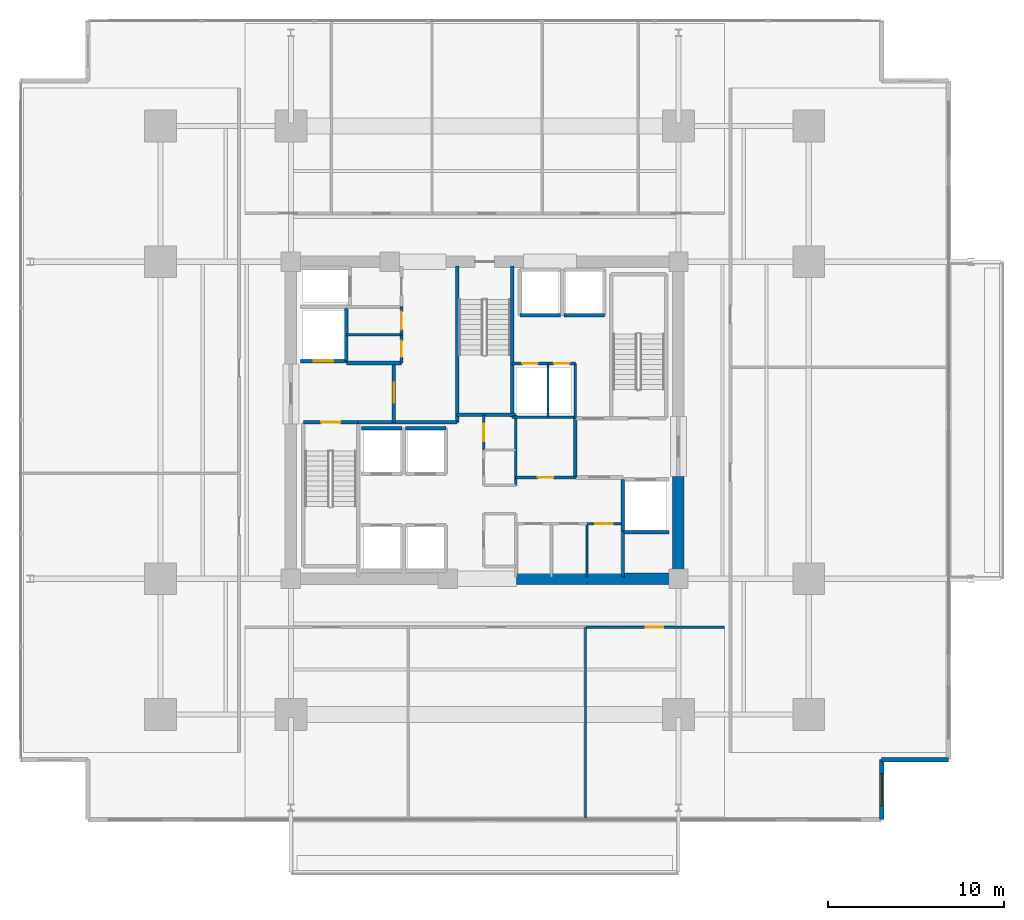
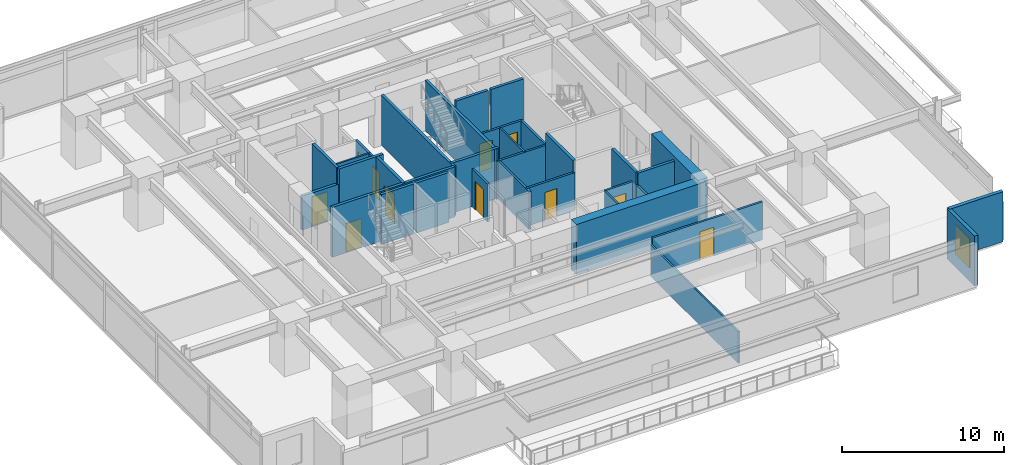
# One storey, part 14 of 21: 36 walls, 11 doors, 1 window, 12 openings.
"""IFC4 building model written with IfcOpenShell, lengths in metres."""

from ifc_helpers import new_model, si_unit, direction, frame, frame_2d, origin, place, context, subcontext, project, spatial, rectangle, extrude, material, layer, layer_set, type_object, element, fill, save


model = new_model("IFC4")

# Units and contexts
model_context = context("Model", 3, precision=1e-05, world=origin(), true_north=direction((0.0, 1.0)))
body_context = subcontext(model_context, "Body", "Model", "MODEL_VIEW")
ifc_project = project(units=[si_unit("LENGTHUNIT", "METRE"), si_unit("AREAUNIT", "SQUARE_METRE"), si_unit("VOLUMEUNIT", "CUBIC_METRE"), si_unit("PLANEANGLEUNIT", "RADIAN"), si_unit("MASSUNIT", "GRAM", prefix="KILO")], contexts=[model_context])

# Site, building, storey
site_placement = place(None, origin())
site = spatial("IfcSite", under=ifc_project, at=site_placement, CompositionType="ELEMENT")
building_placement = place(site_placement, origin())
building = spatial("IfcBuilding", under=site, at=building_placement, Name="Kovane Verandah Tower", CompositionType="ELEMENT")
storey_placement = place(building_placement, frame((0.0, 0.0, 87.60009765625)))
storey = spatial("IfcBuildingStorey", under=building, at=storey_placement, Name="L20", CompositionType="ELEMENT", Elevation=87.60009765625)

# Wall
ifc_material_1 = material(Name="Fire-Rated Gypsum Stud Partition", Category="gypsum")
ifc_layer_1 = layer(ifc_material_1, 0.14990234375)
ifc_layer_set_1 = layer_set([ifc_layer_1], Name="Fire-Rated Gypsum Stud Partition")
wall_type_1 = type_object("IfcWallType", Name="WL-COR-150", PredefinedType="PARTITIONING", material=ifc_layer_set_1)
wall_1_placement = place(storey_placement, frame((41.760009765625, 23.800048828125, 0.0), z_axis=(0.0, 0.0, 1.0), x_axis=(0.0, 1.0, 0.0)))
element("IfcWall", 1, at=wall_1_placement, inside=storey, type_object=wall_type_1, Name="L20 Central Core Strip Upper East Wall", PredefinedType="PARTITIONING", context=body_context, shape_type="SweptSolid", body=[
    extrude(rectangle(XDim=4.0, YDim=0.14990234375, at=frame_2d((2.0, 0.0))), origin(), (0.0, 0.0, 1.0), 2.849853515625),
])

# Wall, opening, door
wall_2_placement = place(storey_placement, frame((39.949951171875, 25.800048828125, 0.0), z_axis=(0.0, 0.0, 1.0), x_axis=(0.0, 1.0, 0.0)))
wall_2 = element("IfcWall", 2, at=wall_2_placement, inside=storey, type_object=wall_type_1, Name="L20 Central First Aid and Wellness Room Partition", PredefinedType="PARTITIONING", context=body_context, shape_type="SweptSolid", body=[
    extrude(rectangle(XDim=2.0, YDim=0.14990234375, at=frame_2d((1.0, 0.0))), origin(), (0.0, 0.0, 1.0), 2.849853515625),
])
opening_1_placement = place(wall_2_placement, frame((0.5, 0.0, 0.0)))
opening_1 = element("IfcOpeningElement", 3, at=opening_1_placement, cuts=wall_2, Name="Opening DR-L20-029", PredefinedType="OPENING", context=body_context, shape_type="SweptSolid", body=[
    extrude(rectangle(XDim=1.0, YDim=2.14990234375, at=frame_2d((0.5, 1.074951171875))), frame((0.0, 0.074951171875, 0.0), z_axis=(0.0, -1.0, 0.0), x_axis=(1.0, 0.0, 0.0)), (0.0, 0.0, 1.0), 0.14990234375),
])
ifc_material_2 = material(Name="FSC Spotted-Gum Timber Fire-Rated Office Door", Category="wood")
door_type_1 = type_object("IfcDoorType", Name="DR-OFF-1000", OperationType="SINGLE_SWING_LEFT", PredefinedType="DOOR", material=ifc_material_2)
door_1_placement = place(opening_1_placement, origin())
door_1 = element("IfcDoor", 4, at=door_1_placement, inside=storey, type_object=door_type_1, Name="L20 Central First Aid and Wellness Room Door", OperationType="SINGLE_SWING_RIGHT", OverallHeight=2.14990234375, OverallWidth=1.0, PredefinedType="DOOR", context=body_context, shape_type="SweptSolid", body=[
    extrude(rectangle(XDim=1.0, YDim=2.14990234375, at=frame_2d((0.5, 1.074951171875))), frame((0.0, 0.02490234375, 0.0), z_axis=(0.0, -1.0, 0.0), x_axis=(1.0, 0.0, 0.0)), (0.0, 0.0, 1.0), 0.050048828125),
])
fill(opening_1, door_1)

wall_3_placement = place(storey_placement, frame((35.280029296875, 30.75, 0.0), z_axis=(0.0, 0.0, 1.0), x_axis=(0.0, 1.0, 0.0)))
wall_3 = element("IfcWall", 5, at=wall_3_placement, inside=storey, type_object=wall_type_1, Name="L20 Accessible Unisex Toilet Partition", PredefinedType="PARTITIONING", context=body_context, shape_type="SweptSolid", body=[
    extrude(rectangle(XDim=1.60009765625, YDim=0.14990234375, at=frame_2d((0.800048828125, 0.0))), origin(), (0.0, 0.0, 1.0), 2.849853515625),
])
opening_2_placement = place(wall_3_placement, frame((0.35009765625, 0.0, 0.0)))
opening_2 = element("IfcOpeningElement", 6, at=opening_2_placement, cuts=wall_3, Name="Opening DR-L20-030", PredefinedType="OPENING", context=body_context, shape_type="SweptSolid", body=[
    extrude(rectangle(XDim=0.89990234375, YDim=2.10009765625, at=frame_2d((0.449951171875, 1.050048828125))), frame((0.0, 0.074951171875, 0.0), z_axis=(0.0, -1.0, 0.0), x_axis=(1.0, 0.0, 0.0)), (0.0, 0.0, 1.0), 0.14990234375),
])
ifc_material_3 = material(Name="Moisture-Resistant Laminate Washroom Door", Category="wood")
door_type_2 = type_object("IfcDoorType", Name="DR-WC-900", OperationType="SINGLE_SWING_LEFT", PredefinedType="DOOR", material=ifc_material_3)
door_2_placement = place(opening_2_placement, origin())
door_2 = element("IfcDoor", 7, at=door_2_placement, inside=storey, type_object=door_type_2, Name="L20 Accessible Unisex Toilet Door", OperationType="SINGLE_SWING_RIGHT", OverallHeight=2.10009765625, OverallWidth=0.89990234375, PredefinedType="DOOR", context=body_context, shape_type="SweptSolid", body=[
    extrude(rectangle(XDim=0.89990234375, YDim=2.10009765625, at=frame_2d((0.449951171875, 1.050048828125))), frame((0.0, 0.02490234375, 0.0), z_axis=(0.0, -1.0, 0.0), x_axis=(1.0, 0.0, 0.0)), (0.0, 0.0, 1.0), 0.050048828125),
])
fill(opening_2, door_2)

wall_4_placement = place(storey_placement, frame((35.280029296875, 32.35009765625, 0.0), z_axis=(0.0, 0.0, 1.0), x_axis=(0.0, 1.0, 0.0)))
wall_4 = element("IfcWall", 8, at=wall_4_placement, inside=storey, type_object=wall_type_1, Name="L20 North-West First Aid Room Partition", PredefinedType="PARTITIONING", context=body_context, shape_type="SweptSolid", body=[
    extrude(rectangle(XDim=1.599853515625, YDim=0.14990234375, at=frame_2d((0.7998046875, 0.0))), origin(), (0.0, 0.0, 1.0), 2.849853515625),
])
opening_3_placement = place(wall_4_placement, frame((0.300048828125, 0.0, 0.0)))
opening_3 = element("IfcOpeningElement", 9, at=opening_3_placement, cuts=wall_4, Name="Opening DR-L20-012", PredefinedType="OPENING", context=body_context, shape_type="SweptSolid", body=[
    extrude(rectangle(XDim=1.0, YDim=2.14990234375, at=frame_2d((0.5, 1.074951171875))), frame((0.0, 0.074951171875, 0.0), z_axis=(0.0, -1.0, 0.0), x_axis=(1.0, 0.0, 0.0)), (0.0, 0.0, 1.0), 0.14990234375),
])
door_3_placement = place(opening_3_placement, origin())
door_3 = element("IfcDoor", 10, at=door_3_placement, inside=storey, type_object=door_type_1, Name="L20 North-West First Aid Room Door", OperationType="SINGLE_SWING_LEFT", OverallHeight=2.14990234375, OverallWidth=1.0, PredefinedType="DOOR", context=body_context, shape_type="SweptSolid", body=[
    extrude(rectangle(XDim=1.0, YDim=2.14990234375, at=frame_2d((0.5, 1.074951171875))), frame((0.0, 0.02490234375, 0.0), z_axis=(0.0, -1.0, 0.0), x_axis=(1.0, 0.0, 0.0)), (0.0, 0.0, 1.0), 0.050048828125),
])
fill(opening_3, door_3)

# Walls
wall_5_placement = place(storey_placement, frame((41.56005859375, 27.679931640625, 0.0), z_axis=(0.0, 0.0, 1.0), x_axis=(1.0, 0.0, 0.0)))
element("IfcWall", 11, at=wall_5_placement, inside=storey, type_object=wall_type_1, Name="L20 East Core Service Riser South Wall", PredefinedType="PARTITIONING", context=body_context, shape_type="SweptSolid", body=[
    extrude(rectangle(XDim=3.58984375, YDim=0.14990234375, at=frame_2d((1.794921875, 0.0))), origin(), (0.0, 0.0, 1.0), 2.849853515625),
])
wall_6_placement = place(storey_placement, frame((47.85009765625, 18.60009765625, 0.0), z_axis=(0.0, 0.0, 1.0), x_axis=(0.0, 1.0, 0.0)))
element("IfcWall", 12, at=wall_6_placement, inside=storey, type_object=wall_type_1, Name="L20 East Core Support East Wall", PredefinedType="PARTITIONING", context=body_context, shape_type="SweptSolid", body=[
    extrude(rectangle(XDim=2.539794921875, YDim=0.14990234375, at=frame_2d((1.27001953125, 0.0))), origin(), (0.0, 0.0, 1.0), 2.849853515625),
])

# Wall, opening, door
wall_7_placement = place(storey_placement, frame((45.800048828125, 21.6201171875, 0.0), z_axis=(0.0, 0.0, 1.0), x_axis=(1.0, 0.0, 0.0)))
wall_7 = element("IfcWall", 13, at=wall_7_placement, inside=storey, type_object=wall_type_1, Name="L20 Quiet Wellness Room Partition", PredefinedType="PARTITIONING", context=body_context, shape_type="SweptSolid", body=[
    extrude(rectangle(XDim=1.93994140625, YDim=0.14990234375, at=frame_2d((0.969970703125, 0.0))), origin(), (0.0, 0.0, 1.0), 2.849853515625),
])
opening_4_placement = place(wall_7_placement, frame((0.469970703125, 0.0, 0.0)))
opening_4 = element("IfcOpeningElement", 14, at=opening_4_placement, cuts=wall_7, Name="Opening DR-L20-017", PredefinedType="OPENING", context=body_context, shape_type="SweptSolid", body=[
    extrude(rectangle(XDim=1.0, YDim=2.14990234375, at=frame_2d((0.5, 1.074951171875))), frame((0.0, 0.074951171875, 0.0), z_axis=(0.0, -1.0, 0.0), x_axis=(1.0, 0.0, 0.0)), (0.0, 0.0, 1.0), 0.14990234375),
])
door_4_placement = place(opening_4_placement, origin())
door_4 = element("IfcDoor", 15, at=door_4_placement, inside=storey, type_object=door_type_1, Name="L20 Quiet Wellness Room Door", OperationType="SINGLE_SWING_RIGHT", OverallHeight=2.14990234375, OverallWidth=1.0, PredefinedType="DOOR", context=body_context, shape_type="SweptSolid", body=[
    extrude(rectangle(XDim=1.0, YDim=2.14990234375, at=frame_2d((0.5, 1.074951171875))), frame((0.0, 0.02490234375, 0.0), z_axis=(0.0, -1.0, 0.0), x_axis=(1.0, 0.0, 0.0)), (0.0, 0.0, 1.0), 0.050048828125),
])
fill(opening_4, door_4)

wall_8_placement = place(storey_placement, frame((41.760009765625, 24.25, 0.0), z_axis=(0.0, 0.0, 1.0), x_axis=(1.0, 0.0, 0.0)))
wall_8 = element("IfcWall", 16, at=wall_8_placement, inside=storey, type_object=wall_type_1, Name="L20 Supply Store Partition", PredefinedType="PARTITIONING", context=body_context, shape_type="SweptSolid", body=[
    extrude(rectangle(XDim=3.389892578125, YDim=0.14990234375, at=frame_2d((1.69482421875, 0.0))), origin(), (0.0, 0.0, 1.0), 2.849853515625),
])
opening_5_placement = place(wall_8_placement, frame((1.2548828125, 0.0, 0.0)))
opening_5 = element("IfcOpeningElement", 17, at=opening_5_placement, cuts=wall_8, Name="Opening DR-L20-018", PredefinedType="OPENING", context=body_context, shape_type="SweptSolid", body=[
    extrude(rectangle(XDim=0.8798828125, YDim=2.10009765625, at=frame_2d((0.43994140625, 1.050048828125))), frame((0.0, 0.074951171875, 0.0), z_axis=(0.0, -1.0, 0.0), x_axis=(1.0, 0.0, 0.0)), (0.0, 0.0, 1.0), 0.14990234375),
])
ifc_material_4 = material(Name="Fire-Rated Steel Riser Access Door", Category="steel")
door_type_3 = type_object("IfcDoorType", Name="DR-RISER-880", OperationType="SINGLE_SWING_LEFT", PredefinedType="DOOR", material=ifc_material_4)
door_5_placement = place(opening_5_placement, origin())
door_5 = element("IfcDoor", 18, at=door_5_placement, inside=storey, type_object=door_type_3, Name="L20 Supply Store Door", OperationType="SINGLE_SWING_LEFT", OverallHeight=2.10009765625, OverallWidth=0.8798828125, PredefinedType="DOOR", context=body_context, shape_type="SweptSolid", body=[
    extrude(rectangle(XDim=0.8798828125, YDim=2.10009765625, at=frame_2d((0.43994140625, 1.050048828125))), frame((0.0, 0.02490234375, 0.0), z_axis=(0.0, -1.0, 0.0), x_axis=(1.0, 0.0, 0.0)), (0.0, 0.0, 1.0), 0.050048828125),
])
fill(opening_5, door_5)

# Wall
wall_9_placement = place(storey_placement, frame((45.14990234375, 27.6201171875, 0.0), z_axis=(0.0, 0.0, 1.0), x_axis=(0.0, 1.0, 0.0)))
element("IfcWall", 19, at=wall_9_placement, inside=storey, type_object=wall_type_1, Name="L20 East Core Service Riser East Wall", PredefinedType="PARTITIONING", context=body_context, shape_type="SweptSolid", body=[
    extrude(rectangle(XDim=3.099853515625, YDim=0.14990234375, at=frame_2d((1.5498046875, 0.0))), origin(), (0.0, 0.0, 1.0), 2.849853515625),
])

# Wall, opening, door
wall_10_placement = place(storey_placement, frame((41.56005859375, 30.719970703125, 0.0), z_axis=(0.0, 0.0, 1.0), x_axis=(1.0, 0.0, 0.0)))
wall_10 = element("IfcWall", 20, at=wall_10_placement, inside=storey, type_object=wall_type_1, Name="L20 Electrical Sub-Main Riser Room Partition", PredefinedType="PARTITIONING", context=body_context, shape_type="SweptSolid", body=[
    extrude(rectangle(XDim=2.0400390625, YDim=0.14990234375, at=frame_2d((1.02001953125, 0.0))), origin(), (0.0, 0.0, 1.0), 2.849853515625),
])
opening_6_placement = place(wall_10_placement, frame((0.580078125, 0.0, 0.0)))
opening_6 = element("IfcOpeningElement", 21, at=opening_6_placement, cuts=wall_10, Name="Opening DR-L20-019", PredefinedType="OPENING", context=body_context, shape_type="SweptSolid", body=[
    extrude(rectangle(XDim=0.8798828125, YDim=2.10009765625, at=frame_2d((0.43994140625, 1.050048828125))), frame((0.0, 0.074951171875, 0.0), z_axis=(0.0, -1.0, 0.0), x_axis=(1.0, 0.0, 0.0)), (0.0, 0.0, 1.0), 0.14990234375),
])
door_6_placement = place(opening_6_placement, origin())
door_6 = element("IfcDoor", 22, at=door_6_placement, inside=storey, type_object=door_type_3, Name="L20 Electrical Sub-Main Riser Room Door", OperationType="SINGLE_SWING_RIGHT", OverallHeight=2.10009765625, OverallWidth=0.8798828125, PredefinedType="DOOR", context=body_context, shape_type="SweptSolid", body=[
    extrude(rectangle(XDim=0.8798828125, YDim=2.10009765625, at=frame_2d((0.43994140625, 1.050048828125))), frame((0.0, 0.02490234375, 0.0), z_axis=(0.0, -1.0, 0.0), x_axis=(1.0, 0.0, 0.0)), (0.0, 0.0, 1.0), 0.050048828125),
])
fill(opening_6, door_6)

wall_11_placement = place(storey_placement, frame((43.60009765625, 30.719970703125, 0.0), z_axis=(0.0, 0.0, 1.0), x_axis=(1.0, 0.0, 0.0)))
wall_11 = element("IfcWall", 23, at=wall_11_placement, inside=storey, type_object=wall_type_1, Name="L20 Sprinkler Wet Riser Room Partition", PredefinedType="PARTITIONING", context=body_context, shape_type="SweptSolid", body=[
    extrude(rectangle(XDim=1.5498046875, YDim=0.14990234375, at=frame_2d((0.77490234375, 0.0))), origin(), (0.0, 0.0, 1.0), 2.849853515625),
])
opening_7_placement = place(wall_11_placement, frame((0.3349609375, 0.0, 0.0)))
opening_7 = element("IfcOpeningElement", 24, at=opening_7_placement, cuts=wall_11, Name="Opening DR-L20-020", PredefinedType="OPENING", context=body_context, shape_type="SweptSolid", body=[
    extrude(rectangle(XDim=0.8798828125, YDim=2.10009765625, at=frame_2d((0.43994140625, 1.050048828125))), frame((0.0, 0.074951171875, 0.0), z_axis=(0.0, -1.0, 0.0), x_axis=(1.0, 0.0, 0.0)), (0.0, 0.0, 1.0), 0.14990234375),
])
door_7_placement = place(opening_7_placement, origin())
door_7 = element("IfcDoor", 25, at=door_7_placement, inside=storey, type_object=door_type_3, Name="L20 Sprinkler Wet Riser Room Door", OperationType="SINGLE_SWING_LEFT", OverallHeight=2.10009765625, OverallWidth=0.8798828125, PredefinedType="DOOR", context=body_context, shape_type="SweptSolid", body=[
    extrude(rectangle(XDim=0.8798828125, YDim=2.10009765625, at=frame_2d((0.43994140625, 1.050048828125))), frame((0.0, 0.02490234375, 0.0), z_axis=(0.0, -1.0, 0.0), x_axis=(1.0, 0.0, 0.0)), (0.0, 0.0, 1.0), 0.050048828125),
])
fill(opening_7, door_7)

wall_12_placement = place(storey_placement, frame((45.781982421875, 15.75, 0.0), z_axis=(0.0, 0.0, 1.0), x_axis=(1.0, 0.0, 0.0)))
wall_12 = element("IfcWall", 26, at=wall_12_placement, inside=storey, type_object=wall_type_1, Name="L20 Focus Studio S3 Corridor Partition", PredefinedType="PARTITIONING", context=body_context, shape_type="SweptSolid", body=[
    extrude(rectangle(XDim=7.818115234375, YDim=0.14990234375, at=frame_2d((3.9091796875, 0.0))), origin(), (0.0, 0.0, 1.0), 2.849853515625),
])
opening_8_placement = place(wall_12_placement, frame((3.35888671875, 0.0, 0.0)))
opening_8 = element("IfcOpeningElement", 27, at=opening_8_placement, cuts=wall_12, Name="Opening DR-L20-028", PredefinedType="OPENING", context=body_context, shape_type="SweptSolid", body=[
    extrude(rectangle(XDim=1.0, YDim=2.14990234375, at=frame_2d((0.5, 1.074951171875))), frame((0.0, 0.074951171875, 0.0), z_axis=(0.0, -1.0, 0.0), x_axis=(1.0, 0.0, 0.0)), (0.0, 0.0, 1.0), 0.14990234375),
])
door_8_placement = place(opening_8_placement, origin())
door_8 = element("IfcDoor", 28, at=door_8_placement, inside=storey, type_object=door_type_1, Name="L20 Focus Studio S3 Entrance Door", OperationType="SINGLE_SWING_LEFT", OverallHeight=2.14990234375, OverallWidth=1.0, PredefinedType="DOOR", context=body_context, shape_type="SweptSolid", body=[
    extrude(rectangle(XDim=1.0, YDim=2.14990234375, at=frame_2d((0.5, 1.074951171875))), frame((0.0, 0.02490234375, 0.0), z_axis=(0.0, -1.0, 0.0), x_axis=(1.0, 0.0, 0.0)), (0.0, 0.0, 1.0), 0.050048828125),
])
fill(opening_8, door_8)

# Walls
ifc_material_5 = material(Name="Concrete C80/95", Category="concrete")
ifc_layer_2 = layer(ifc_material_5, 0.64990234375)
ifc_layer_set_2 = layer_set([ifc_layer_2], Name="Concrete C80/95")
wall_type_2 = type_object("IfcWallType", Name="WL-CORE-650", PredefinedType="SHEAR", material=ifc_layer_set_2)
wall_13_placement = place(storey_placement, frame((41.800048828125, 18.5, 0.0), z_axis=(0.0, 0.0, 1.0), x_axis=(1.0, 0.0, 0.0)))
element("IfcWall", 29, at=wall_13_placement, inside=storey, type_object=wall_type_2, Name="L20 Core Shear Wall CS-2", PredefinedType="SHEAR", context=body_context, shape_type="SweptSolid", body=[
    extrude(rectangle(XDim=9.199951171875, YDim=0.64990234375, at=frame_2d((4.60009765625, 0.0))), origin(), (0.0, 0.0, 1.0), 3.760009765625),
])
wall_14_placement = place(storey_placement, frame((51.0, 18.5, 0.0), z_axis=(0.0, 0.0, 1.0), x_axis=(0.0, 1.0, 0.0)))
element("IfcWall", 30, at=wall_14_placement, inside=storey, type_object=wall_type_2, Name="L20 Core Shear Wall CE-1", PredefinedType="SHEAR", context=body_context, shape_type="SweptSolid", body=[
    extrude(rectangle(XDim=5.800048828125, YDim=0.64990234375, at=frame_2d((2.89990234375, 0.0))), origin(), (0.0, 0.0, 1.0), 3.760009765625),
])

# Wall, opening, door
ifc_material_6 = material(Name="Concrete C45/55 Fire Wall", Category="concrete")
ifc_layer_3 = layer(ifc_material_6, 0.199951171875)
ifc_layer_set_3 = layer_set([ifc_layer_3], Name="Concrete C45/55 Fire Wall")
wall_type_3 = type_object("IfcWallType", Name="WL-FFL-200", PredefinedType="PARTITIONING", material=ifc_layer_set_3)
wall_15_placement = place(storey_placement, frame((34.85009765625, 27.3798828125, 0.0), z_axis=(0.0, 0.0, 1.0), x_axis=(0.0, 1.0, 0.0)))
wall_15 = element("IfcWall", 31, at=wall_15_placement, inside=storey, type_object=wall_type_3, Name="W-L20-FFLW-E", PredefinedType="PARTITIONING", context=body_context, shape_type="SweptSolid", body=[
    extrude(rectangle(XDim=3.3701171875, YDim=0.199951171875, at=frame_2d((1.68505859375, 0.0))), origin(), (0.0, 0.0, 1.0), 3.760009765625),
])
opening_9_placement = place(wall_15_placement, frame((1.110107421875, 0.0, 0.0)))
opening_9 = element("IfcOpeningElement", 32, at=opening_9_placement, cuts=wall_15, Name="Opening DR-L20-006", PredefinedType="OPENING", context=body_context, shape_type="SweptSolid", body=[
    extrude(rectangle(XDim=1.14990234375, YDim=2.199951171875, at=frame_2d((0.574951171875, 1.10009765625))), frame((0.0, 0.10009765625, 0.0), z_axis=(0.0, -1.0, 0.0), x_axis=(1.0, 0.0, 0.0)), (0.0, 0.0, 1.0), 0.199951171875),
])
ifc_material_7 = material(Name="Smoke-Sealed Firefighting Lobby Door", Category="steel")
door_type_4 = type_object("IfcDoorType", Name="DR-FFL-1150", OperationType="SINGLE_SWING_LEFT", PredefinedType="DOOR", material=ifc_material_7)
door_9_placement = place(opening_9_placement, origin())
door_9 = element("IfcDoor", 33, at=door_9_placement, inside=storey, type_object=door_type_4, Name="L20 West Firefighting Lobby Inner Door", OperationType="SINGLE_SWING_LEFT", OverallHeight=2.199951171875, OverallWidth=1.14990234375, PredefinedType="DOOR", context=body_context, shape_type="SweptSolid", body=[
    extrude(rectangle(XDim=1.14990234375, YDim=2.199951171875, at=frame_2d((0.574951171875, 1.10009765625))), frame((0.0, 0.02490234375, 0.0), z_axis=(0.0, -1.0, 0.0), x_axis=(1.0, 0.0, 0.0)), (0.0, 0.0, 1.0), 0.050048828125),
])
fill(opening_9, door_9)

# Walls
wall_16_placement = place(storey_placement, frame((32.820068359375, 27.3798828125, 0.0), z_axis=(0.0, 0.0, 1.0), x_axis=(1.0, 0.0, 0.0)))
element("IfcWall", 34, at=wall_16_placement, inside=storey, type_object=wall_type_3, Name="L20 West Firefighting Lobby South Fire Wall", PredefinedType="PARTITIONING", context=body_context, shape_type="SweptSolid", body=[
    extrude(rectangle(XDim=5.619873046875, YDim=0.199951171875, at=frame_2d((2.81005859375, 0.0))), origin(), (0.0, 0.0, 1.0), 3.760009765625),
])
wall_17_placement = place(storey_placement, frame((32.14990234375, 30.75, 0.0), z_axis=(0.0, 0.0, 1.0), x_axis=(1.0, 0.0, 0.0)))
element("IfcWall", 35, at=wall_17_placement, inside=storey, type_object=wall_type_3, Name="L20 West Firefighting Lobby North Fire Wall", PredefinedType="PARTITIONING", context=body_context, shape_type="SweptSolid", body=[
    extrude(rectangle(XDim=3.130126953125, YDim=0.199951171875, at=frame_2d((1.56494140625, 0.0))), origin(), (0.0, 0.0, 1.0), 3.760009765625),
])
wall_18_placement = place(storey_placement, frame((45.14990234375, 24.25, 0.0), z_axis=(0.0, 0.0, 1.0), x_axis=(0.0, 1.0, 0.0)))
element("IfcWall", 36, at=wall_18_placement, inside=storey, type_object=wall_type_3, Name="L20 East Firefighting Lobby West Fire Wall", PredefinedType="PARTITIONING", context=body_context, shape_type="SweptSolid", body=[
    extrude(rectangle(XDim=3.3701171875, YDim=0.199951171875, at=frame_2d((1.68505859375, 0.0))), origin(), (0.0, 0.0, 1.0), 3.760009765625),
])

# Wall, opening, door
ifc_material_8 = material(Name="Concrete C45/55 Lift Shaft Wall", Category="concrete")
ifc_layer_4 = layer(ifc_material_8, 0.199951171875)
ifc_layer_set_4 = layer_set([ifc_layer_4], Name="Concrete C45/55 Lift Shaft Wall")
wall_type_4 = type_object("IfcWallType", Name="WL-LIFT-200", PredefinedType="SOLIDWALL", material=ifc_layer_set_4)
wall_19_placement = place(storey_placement, frame((29.550048828125, 30.85009765625, 0.0), z_axis=(0.0, 0.0, 1.0), x_axis=(1.0, 0.0, 0.0)))
wall_19 = element("IfcWall", 37, at=wall_19_placement, inside=storey, type_object=wall_type_4, Name="L20 Lift FL-01 S Shaft Wall", PredefinedType="SOLIDWALL", context=body_context, shape_type="SweptSolid", body=[
    extrude(rectangle(XDim=2.599853515625, YDim=0.199951171875, at=frame_2d((1.2998046875, 0.0))), origin(), (0.0, 0.0, 1.0), 2.539794921875),
])
opening_10_placement = place(wall_19_placement, frame((0.75, 0.0, 0.0)))
opening_10 = element("IfcOpeningElement", 38, at=opening_10_placement, cuts=wall_19, Name="Opening LD-L20-001", PredefinedType="OPENING", context=body_context, shape_type="SweptSolid", body=[
    extrude(rectangle(XDim=1.10009765625, YDim=2.199951171875, at=frame_2d((0.550048828125, 1.10009765625))), frame((0.0, 0.10009765625, 0.0), z_axis=(0.0, -1.0, 0.0), x_axis=(1.0, 0.0, 0.0)), (0.0, 0.0, 1.0), 0.199951171875),
])
ifc_material_9 = material(Name="Brushed Stainless Steel Sliding Lift Landing Door", Category="steel")
door_type_5 = type_object("IfcDoorType", Name="DR-LIFT-1100", OperationType="SLIDING_TO_RIGHT", PredefinedType="DOOR", material=ifc_material_9)
door_10_placement = place(opening_10_placement, origin())
door_10 = element("IfcDoor", 39, at=door_10_placement, inside=storey, type_object=door_type_5, Name="L20 Lift FL-01 Sliding Landing Door", OperationType="SLIDING_TO_RIGHT", OverallHeight=2.199951171875, OverallWidth=1.10009765625, PredefinedType="DOOR", context=body_context, shape_type="SweptSolid", body=[
    extrude(rectangle(XDim=1.10009765625, YDim=2.199951171875, at=frame_2d((0.550048828125, 1.10009765625))), frame((0.0, 0.02490234375, 0.0), z_axis=(0.0, -1.0, 0.0), x_axis=(1.0, 0.0, 0.0)), (0.0, 0.0, 1.0), 0.050048828125),
])
fill(opening_10, door_10)

# Walls
wall_20_placement = place(storey_placement, frame((32.14990234375, 30.85009765625, 0.0), z_axis=(0.0, 0.0, 1.0), x_axis=(0.0, 1.0, 0.0)))
element("IfcWall", 40, at=wall_20_placement, inside=storey, type_object=wall_type_4, Name="L20 Lift FL-01 E Shaft Wall", PredefinedType="SOLIDWALL", context=body_context, shape_type="SweptSolid", body=[
    extrude(rectangle(XDim=3.0, YDim=0.199951171875, at=frame_2d((1.5, 0.0))), origin(), (0.0, 0.0, 1.0), 3.760009765625),
])
wall_21_placement = place(storey_placement, frame((47.85009765625, 21.14990234375, 0.0), z_axis=(0.0, 0.0, 1.0), x_axis=(1.0, 0.0, 0.0)))
element("IfcWall", 41, at=wall_21_placement, inside=storey, type_object=wall_type_4, Name="L20 Lift FL-02 S Shaft Wall", PredefinedType="SOLIDWALL", context=body_context, shape_type="SweptSolid", body=[
    extrude(rectangle(XDim=2.599853515625, YDim=0.199951171875, at=frame_2d((1.2998046875, 0.0))), origin(), (0.0, 0.0, 1.0), 3.760009765625),
])
wall_22_placement = place(storey_placement, frame((47.85009765625, 24.14990234375, 0.0), z_axis=(0.0, 0.0, 1.0), x_axis=(0.0, -1.0, 0.0)))
element("IfcWall", 42, at=wall_22_placement, inside=storey, type_object=wall_type_4, Name="L20 Lift FL-02 W Shaft Wall", PredefinedType="SOLIDWALL", context=body_context, shape_type="SweptSolid", body=[
    extrude(rectangle(XDim=3.0, YDim=0.199951171875, at=frame_2d((1.5, 0.0))), origin(), (0.0, 0.0, 1.0), 3.760009765625),
])
for number, where, z_axis, x_axis, name in (
    (43, (35.300048828125, 27.050048828125, 0.0), (0.0, 0.0, 1.0), (-1.0, 0.0, 0.0), "L20 Lift PL-L3 N Shaft Wall"),
    (44, (37.800048828125, 27.050048828125, 0.0), (0.0, 0.0, 1.0), (-1.0, 0.0, 0.0), "L20 Lift PL-L4 N Shaft Wall"),
    (45, (42.0, 33.449951171875, 0.0), (0.0, 0.0, 1.0), (1.0, 0.0, 0.0), "L20 Lift SL-01 S Shaft Wall"),
    (46, (44.5, 33.449951171875, 0.0), (0.0, 0.0, 1.0), (1.0, 0.0, 0.0), "L20 Lift OL-01 S Shaft Wall"),
):
    element("IfcWall", number, at=place(storey_placement, frame(where, z_axis=z_axis, x_axis=x_axis)), inside=storey, type_object=wall_type_4, Name=name, PredefinedType="SOLIDWALL", context=body_context, shape_type="SweptSolid", body=[
        extrude(rectangle(XDim=2.300048828125, YDim=0.199951171875, at=frame_2d((1.14990234375, 0.0))), origin(), (0.0, 0.0, 1.0), 3.760009765625),
    ])
ifc_material_10 = material(Name="Acoustic Fire-Rated Gypsum Partition", Category="gypsum")
ifc_layer_5 = layer(ifc_material_10, 0.1201171875)
ifc_layer_set_5 = layer_set([ifc_layer_5], Name="Acoustic Fire-Rated Gypsum Partition")
wall_type_5 = type_object("IfcWallType", Name="WL-PART-120", PredefinedType="PARTITIONING", material=ifc_layer_set_5)
wall_23_placement = place(storey_placement, frame((32.14990234375, 32.35009765625, 0.0), z_axis=(0.0, 0.0, 1.0), x_axis=(1.0, 0.0, 0.0)))
element("IfcWall", 47, at=wall_23_placement, inside=storey, type_object=wall_type_5, Name="L20 Accessible Washroom and Support Dividing Partition", PredefinedType="PARTITIONING", context=body_context, shape_type="SweptSolid", body=[
    extrude(rectangle(XDim=3.130126953125, YDim=0.1201171875, at=frame_2d((1.56494140625, 0.0))), origin(), (0.0, 0.0, 1.0), 2.849853515625),
])
wall_24_placement = place(storey_placement, frame((45.800048828125, 18.60009765625, 0.0), z_axis=(0.0, 0.0, 1.0), x_axis=(0.0, 1.0, 0.0)))
element("IfcWall", 48, at=wall_24_placement, inside=storey, type_object=wall_type_5, Name="L20 East Core Support Dividing Partition 2", PredefinedType="PARTITIONING", context=body_context, shape_type="SweptSolid", body=[
    extrude(rectangle(XDim=3.02001953125, YDim=0.1201171875, at=frame_2d((1.510009765625, 0.0))), origin(), (0.0, 0.0, 1.0), 2.849853515625),
])
wall_25_placement = place(storey_placement, frame((43.60009765625, 27.679931640625, 0.0), z_axis=(0.0, 0.0, 1.0), x_axis=(0.0, 1.0, 0.0)))
element("IfcWall", 49, at=wall_25_placement, inside=storey, type_object=wall_type_5, Name="L20 Service Riser Dividing Partition", PredefinedType="PARTITIONING", context=body_context, shape_type="SweptSolid", body=[
    extrude(rectangle(XDim=3.0400390625, YDim=0.1201171875, at=frame_2d((1.52001953125, 0.0))), origin(), (0.0, 0.0, 1.0), 2.849853515625),
])
wall_26_placement = place(storey_placement, frame((45.7119140625, 4.92919921875, 0.0), z_axis=(0.0, 0.0, 1.0), x_axis=(0.0, 1.0, 0.0)))
element("IfcWall", 50, at=wall_26_placement, inside=storey, type_object=wall_type_5, Name="L20 Meeting Room S2 Dividing Partition", PredefinedType="PARTITIONING", context=body_context, shape_type="SweptSolid", body=[
    extrude(rectangle(XDim=10.82080078125, YDim=0.1201171875, at=frame_2d((5.410400390625, 0.0))), origin(), (0.0, 0.0, 1.0), 2.389892578125),
])

# Wall, opening, door
ifc_material_11 = material(Name="Concrete C45/55", Category="concrete")
ifc_layer_6 = layer(ifc_material_11, 0.199951171875)
ifc_layer_set_6 = layer_set([ifc_layer_6], Name="Concrete C45/55")
wall_type_6 = type_object("IfcWallType", Name="WL-SHAFT-200", PredefinedType="SOLIDWALL", material=ifc_layer_set_6)
wall_27_placement = place(storey_placement, frame((29.699951171875, 27.3798828125, 0.0), z_axis=(0.0, 0.0, 1.0), x_axis=(1.0, 0.0, 0.0)))
wall_27 = element("IfcWall", 51, at=wall_27_placement, inside=storey, type_object=wall_type_6, Name="W-L20-ST01-N", PredefinedType="SOLIDWALL", context=body_context, shape_type="SweptSolid", body=[
    extrude(rectangle(XDim=3.1201171875, YDim=0.199951171875, at=frame_2d((1.56005859375, 0.0))), origin(), (0.0, 0.0, 1.0), 3.760009765625),
])
opening_11_placement = place(wall_27_placement, frame((1.010009765625, 0.0, 0.0)))
opening_11 = element("IfcOpeningElement", 52, at=opening_11_placement, cuts=wall_27, Name="Opening DR-L20-009", PredefinedType="OPENING", context=body_context, shape_type="SweptSolid", body=[
    extrude(rectangle(XDim=1.10009765625, YDim=2.14990234375, at=frame_2d((0.550048828125, 1.074951171875))), frame((0.0, 0.10009765625, 0.0), z_axis=(0.0, -1.0, 0.0), x_axis=(1.0, 0.0, 0.0)), (0.0, 0.0, 1.0), 0.199951171875),
])
ifc_material_12 = material(Name="Fire-Rated Steel Exit Door", Category="steel")
door_type_6 = type_object("IfcDoorType", Name="DR-STAIR-1100", OperationType="SINGLE_SWING_LEFT", PredefinedType="DOOR", material=ifc_material_12)
door_11_placement = place(opening_11_placement, origin())
door_11 = element("IfcDoor", 53, at=door_11_placement, inside=storey, type_object=door_type_6, Name="L20 ST-01 Fire Exit Stair Door", OperationType="SINGLE_SWING_LEFT", OverallHeight=2.14990234375, OverallWidth=1.10009765625, PredefinedType="DOOR", context=body_context, shape_type="SweptSolid", body=[
    extrude(rectangle(XDim=1.10009765625, YDim=2.14990234375, at=frame_2d((0.550048828125, 1.074951171875))), frame((0.0, 0.02490234375, 0.0), z_axis=(0.0, -1.0, 0.0), x_axis=(1.0, 0.0, 0.0)), (0.0, 0.0, 1.0), 0.050048828125),
])
fill(opening_11, door_11)

# Walls
wall_28_placement = place(storey_placement, frame((38.43994140625, 27.3798828125, 0.0), z_axis=(0.0, 0.0, 1.0), x_axis=(0.0, 1.0, 0.0)))
element("IfcWall", 54, at=wall_28_placement, inside=storey, type_object=wall_type_6, Name="W-L20-ST03-W", PredefinedType="SOLIDWALL", context=body_context, shape_type="SweptSolid", body=[
    extrude(rectangle(XDim=8.8701171875, YDim=0.199951171875, at=frame_2d((4.43505859375, 0.0))), origin(), (0.0, 0.0, 1.0), 3.760009765625),
])
wall_29_placement = place(storey_placement, frame((41.56005859375, 27.679931640625, 0.0), z_axis=(0.0, 0.0, 1.0), x_axis=(0.0, 1.0, 0.0)))
element("IfcWall", 55, at=wall_29_placement, inside=storey, type_object=wall_type_6, Name="W-L20-ST03-E", PredefinedType="SOLIDWALL", context=body_context, shape_type="SweptSolid", body=[
    extrude(rectangle(XDim=8.570068359375, YDim=0.199951171875, at=frame_2d((4.28515625, 0.0))), origin(), (0.0, 0.0, 1.0), 3.760009765625),
])
wall_30_placement = place(storey_placement, frame((38.43994140625, 27.800048828125, 0.0), z_axis=(0.0, 0.0, 1.0), x_axis=(1.0, 0.0, 0.0)))
element("IfcWall", 56, at=wall_30_placement, inside=storey, type_object=wall_type_6, Name="W-L20-ST03-S", PredefinedType="SOLIDWALL", context=body_context, shape_type="SweptSolid", body=[
    extrude(rectangle(XDim=3.320068359375, YDim=0.199951171875, at=frame_2d((1.66015625, 0.0))), origin(), (0.0, 0.0, 1.0), 3.760009765625),
])

# Wall, opening, window
ifc_material_13 = material(Name="Concrete C45/55 Insulated Spandrel Wall", Category="concrete")
ifc_layer_7 = layer(ifc_material_13, 0.260009765625)
ifc_layer_set_7 = layer_set([ifc_layer_7], Name="Concrete C45/55 Insulated Spandrel Wall")
wall_type_7 = type_object("IfcWallType", Name="WL-SPANDREL-260", PredefinedType="PARAPET", material=ifc_layer_set_7)
wall_31_placement = place(storey_placement, frame((62.52978515625, 4.8291015625, 0.0), z_axis=(0.0, 0.0, 1.0), x_axis=(0.0, 1.0, 0.0)))
wall_31 = element("IfcWall", 57, at=wall_31_placement, inside=storey, type_object=wall_type_7, Name="L20 SE Notch Cheek Wall 1", PredefinedType="PARAPET", context=body_context, shape_type="SweptSolid", body=[
    extrude(rectangle(XDim=3.39990234375, YDim=0.260009765625, at=frame_2d((1.699951171875, 0.0))), origin(), (0.0, 0.0, 1.0), 3.760009765625),
])
opening_12_placement = place(wall_31_placement, frame((0.800048828125, 0.0, 0.85009765625)))
opening_12 = element("IfcOpeningElement", 58, at=opening_12_placement, cuts=wall_31, Name="Opening W-03", PredefinedType="OPENING", context=body_context, shape_type="SweptSolid", body=[
    extrude(rectangle(XDim=1.800048828125, YDim=2.199951171875, at=frame_2d((0.89990234375, 1.10009765625))), frame((0.0, 0.1298828125, 0.0), z_axis=(0.0, -1.0, 0.0), x_axis=(1.0, 0.0, 0.0)), (0.0, 0.0, 1.0), 0.260009765625),
])
ifc_material_14 = material(Name="Clear Low-E Laminated Double Glazing in Anodised Frame", Category="glass")
window_type = type_object("IfcWindowType", Name="WN-NOTCH-1800x2200", PartitioningType="SINGLE_PANEL", PredefinedType="WINDOW", material=ifc_material_14)
window_placement = place(opening_12_placement, origin())
window = element("IfcWindow", 59, at=window_placement, inside=storey, type_object=window_type, Name="L20 SE Re-Entrant Corner Operable Window", OverallHeight=2.199951171875, OverallWidth=1.800048828125, PartitioningType="SINGLE_PANEL", PredefinedType="WINDOW", context=body_context, shape_type="SweptSolid", body=[
    extrude(rectangle(XDim=1.800048828125, YDim=2.199951171875, at=frame_2d((0.89990234375, 1.10009765625))), frame((0.0, 0.030029296875, 0.0), z_axis=(0.0, -1.0, 0.0), x_axis=(1.0, 0.0, 0.0)), (0.0, 0.0, 1.0), 0.06005859375),
])
fill(opening_12, window)

# Wall
wall_32_placement = place(storey_placement, frame((62.52978515625, 8.22900390625, 0.0), z_axis=(0.0, 0.0, 1.0), x_axis=(1.0, 0.0, 0.0)))
element("IfcWall", 60, at=wall_32_placement, inside=storey, type_object=wall_type_7, Name="L20 SE Notch Cheek Wall 2", PredefinedType="PARAPET", context=body_context, shape_type="SweptSolid", body=[
    extrude(rectangle(XDim=3.800048828125, YDim=0.260009765625, at=frame_2d((1.89990234375, 0.0))), origin(), (0.0, 0.0, 1.0), 3.760009765625),
])

save(model, "model.ifc")
